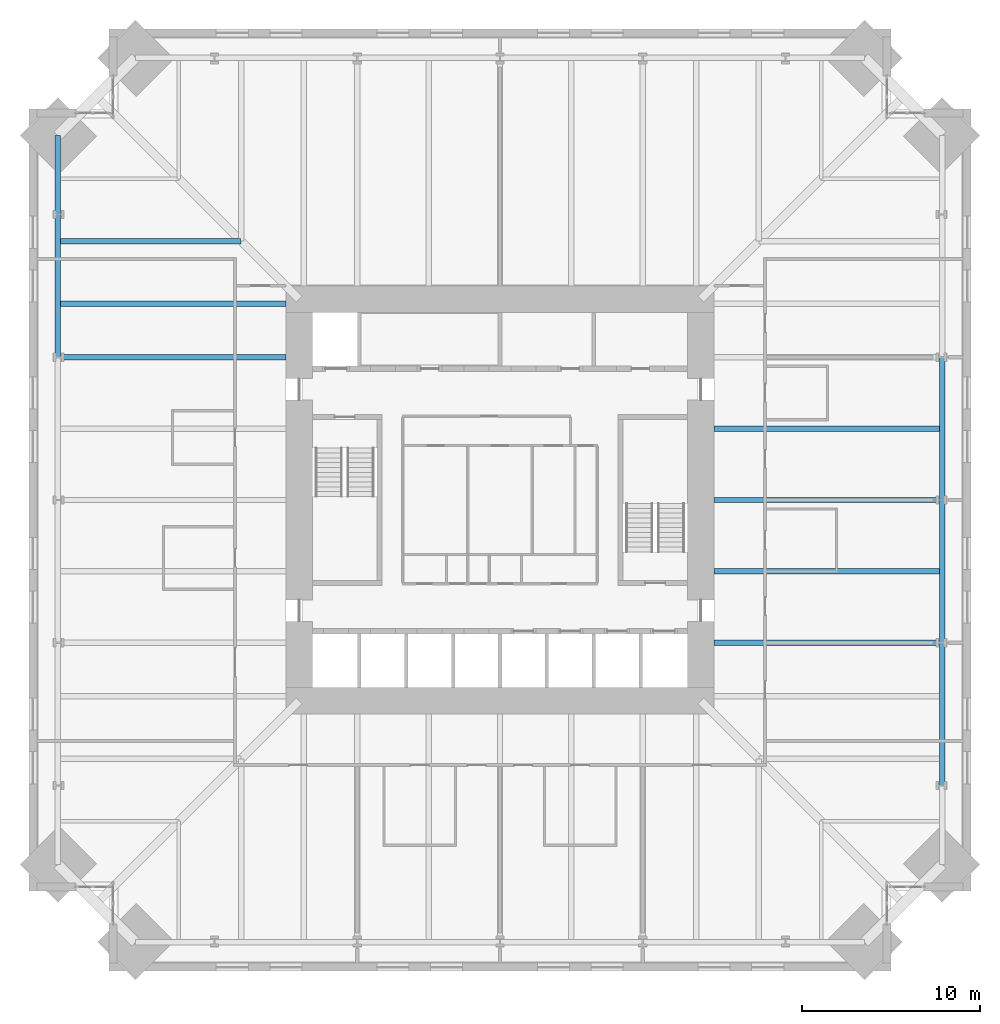
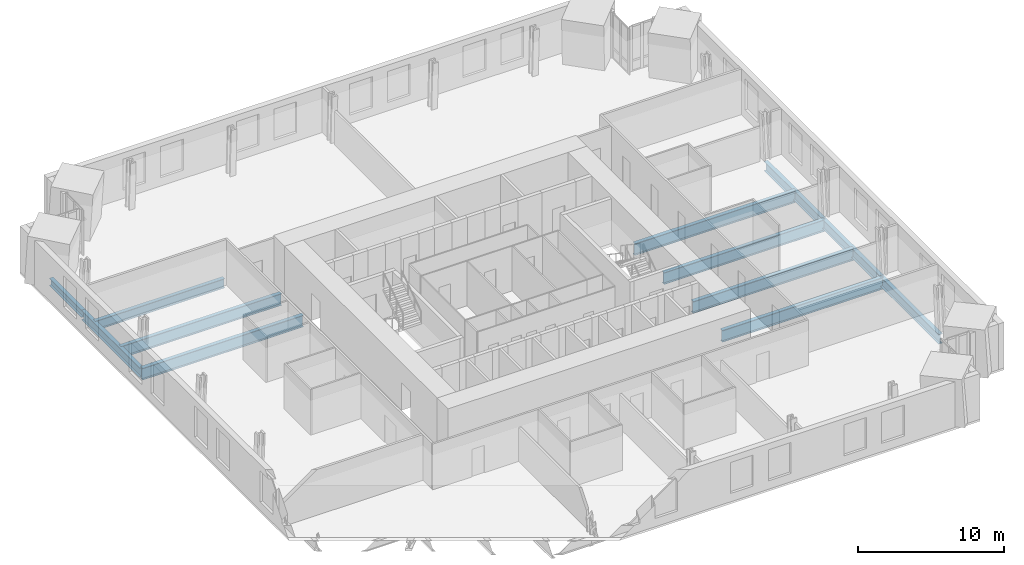
# One storey, part 5 of 18: 12 beams.
"""IFC4 building model written with IfcOpenShell, lengths in metres."""

from ifc_helpers import new_model, si_unit, direction, frame, origin, origin_2d, place, context, subcontext, project, spatial, i_section, extrude, material, material_profile, profile_set, type_object, element, save


model = new_model("IFC4")

# Units and contexts
model_context = context("Model", 3, precision=1e-05, world=origin(), true_north=direction((0.0, 1.0)))
body_context = subcontext(model_context, "Body", "Model", "MODEL_VIEW")
ifc_project = project(units=[si_unit("LENGTHUNIT", "METRE"), si_unit("AREAUNIT", "SQUARE_METRE"), si_unit("VOLUMEUNIT", "CUBIC_METRE"), si_unit("PLANEANGLEUNIT", "RADIAN"), si_unit("MASSUNIT", "GRAM", prefix="KILO")], contexts=[model_context])

# Site, building, storey
site_placement = place(None, origin())
site = spatial("IfcSite", under=ifc_project, at=site_placement, CompositionType="ELEMENT")
building_placement = place(site_placement, origin())
building = spatial("IfcBuilding", under=site, at=building_placement, Name="Peilmerk Tower", CompositionType="ELEMENT")
storey_placement = place(building_placement, frame((0.0, 0.0, 151.800048828125)))
storey = spatial("IfcBuildingStorey", under=building, at=storey_placement, Name="L31", CompositionType="ELEMENT", Elevation=151.800048828125)

# Beams
ifc_material = material(Name="Steel S355", Category="steel")
ifc_material_profile_1 = material_profile(ifc_material, i_section(OverallWidth=0.300048828125, OverallDepth=0.989990234375, WebThickness=0.0166015625, FlangeThickness=0.031005859375, at=origin_2d()), Name="HEA 1000")
ifc_profile_set_1 = profile_set([ifc_material_profile_1], Name="Steel S355")
beam_type_1 = type_object("IfcBeamType", Name="B14 HEA 1000 floor girder", PredefinedType="BEAM", material=ifc_profile_set_1)
for number, where, z_axis, x_axis, name in (
    (1, (12.0, -8.0, -0.6650390625), (1.0, 0.0, 0.0), (0.0, 1.0, 0.0), "Floor beam L31"),
    (2, (12.0, -4.0, -0.6650390625), (1.0, 0.0, 0.0), (0.0, 1.0, 0.0), "Floor beam L31"),
    (3, (12.0, 0.0, -0.6650390625), (1.0, 0.0, 0.0), (0.0, 1.0, 0.0), "Floor beam L31"),
    (4, (12.0, 4.0, -0.6650390625), (1.0, 0.0, 0.0), (0.0, 1.0, 0.0), "Floor beam L31"),
    (5, (-12.0, 11.0, -0.6650390625), (-1.0, 0.0, 0.0), (0.0, -1.0, 0.0), "Floor beam L31"),
    (6, (-12.0, 8.0, -0.6650390625), (-1.0, 0.0, 0.0), (0.0, -1.0, 0.0), "Floor beam L31"),
):
    element("IfcBeam", number, at=place(storey_placement, frame(where, z_axis=z_axis, x_axis=x_axis)), inside=storey, type_object=beam_type_1, Name=name, PredefinedType="BEAM", context=body_context, shape_type="SweptSolid", body=[
        extrude(i_section(OverallWidth=0.300048828125, OverallDepth=0.989990234375, WebThickness=0.0166015625, FlangeThickness=0.031005859375, at=origin_2d()), origin(), (0.0, 0.0, 1.0), 12.77587890625),
    ])
ifc_material_profile_2 = material_profile(ifc_material, i_section(OverallWidth=0.302978515625, OverallDepth=0.81396484375, WebThickness=0.02099609375, FlangeThickness=0.0400390625, at=origin_2d()), Name="HEM 800")
ifc_profile_set_2 = profile_set([ifc_material_profile_2], Name="Steel S355")
beam_type_2 = type_object("IfcBeamType", Name="B15 HEM 800 edge beam", PredefinedType="SPANDREL", material=ifc_profile_set_2)
for number, where, z_axis, x_axis, name in (
    (7, (24.77587890625, -16.0, -0.5771484375), (0.0, 1.0, 0.0), (-1.0, 0.0, 0.0), "Edge beam L31"),
    (8, (24.77587890625, -8.0, -0.5771484375), (0.0, 1.0, 0.0), (-1.0, 0.0, 0.0), "Edge beam L31"),
    (9, (24.77587890625, 0.0, -0.5771484375), (0.0, 1.0, 0.0), (-1.0, 0.0, 0.0), "Edge beam L31"),
    (10, (-24.77587890625, 16.0, -0.5771484375), (0.0, -1.0, 0.0), (1.0, 0.0, 0.0), "Edge beam L31"),
):
    element("IfcBeam", number, at=place(storey_placement, frame(where, z_axis=z_axis, x_axis=x_axis)), inside=storey, type_object=beam_type_2, Name=name, PredefinedType="SPANDREL", context=body_context, shape_type="SweptSolid", body=[
        extrude(i_section(OverallWidth=0.302978515625, OverallDepth=0.81396484375, WebThickness=0.02099609375, FlangeThickness=0.0400390625, at=origin_2d()), origin(), (0.0, 0.0, 1.0), 8.0),
    ])
ifc_material_profile_3 = material_profile(ifc_material, i_section(OverallWidth=0.300048828125, OverallDepth=0.7900390625, WebThickness=0.014892578125, FlangeThickness=0.028076171875, at=origin_2d()), Name="HEA 800")
ifc_profile_set_3 = profile_set([ifc_material_profile_3], Name="Steel S355")
beam_type_3 = type_object("IfcBeamType", Name="B3 HEA 800 floor beam", PredefinedType="BEAM", material=ifc_profile_set_3)
beam_1_placement = place(storey_placement, frame((-14.5, 14.5, -0.56494140625), z_axis=(-1.0, 0.0, 0.0), x_axis=(0.0, -1.0, 0.0)))
element("IfcBeam", 11, at=beam_1_placement, inside=storey, type_object=beam_type_3, Name="Floor beam L31", PredefinedType="BEAM", context=body_context, shape_type="SweptSolid", body=[
    extrude(i_section(OverallWidth=0.300048828125, OverallDepth=0.7900390625, WebThickness=0.014892578125, FlangeThickness=0.028076171875, at=origin_2d()), origin(), (0.0, 0.0, 1.0), 10.27587890625),
])
ifc_material_profile_4 = material_profile(ifc_material, i_section(OverallWidth=0.304931640625, OverallDepth=0.6201171875, WebThickness=0.02099609375, FlangeThickness=0.0400390625, at=origin_2d()), Name="HEM 600")
ifc_profile_set_4 = profile_set([ifc_material_profile_4], Name="Steel S355")
beam_type_4 = type_object("IfcBeamType", Name="B31 HEM 600 edge beam", PredefinedType="SPANDREL", material=ifc_profile_set_4)
beam_2_placement = place(storey_placement, frame((-24.77587890625, 20.42578125, -0.47998046875), z_axis=(0.0, -1.0, 0.0), x_axis=(1.0, 0.0, 0.0)))
element("IfcBeam", 12, at=beam_2_placement, inside=storey, type_object=beam_type_4, Name="Edge beam L31", PredefinedType="SPANDREL", context=body_context, shape_type="SweptSolid", body=[
    extrude(i_section(OverallWidth=0.304931640625, OverallDepth=0.6201171875, WebThickness=0.02099609375, FlangeThickness=0.0400390625, at=origin_2d()), origin(), (0.0, 0.0, 1.0), 4.42578125),
])

save(model, "model.ifc")
